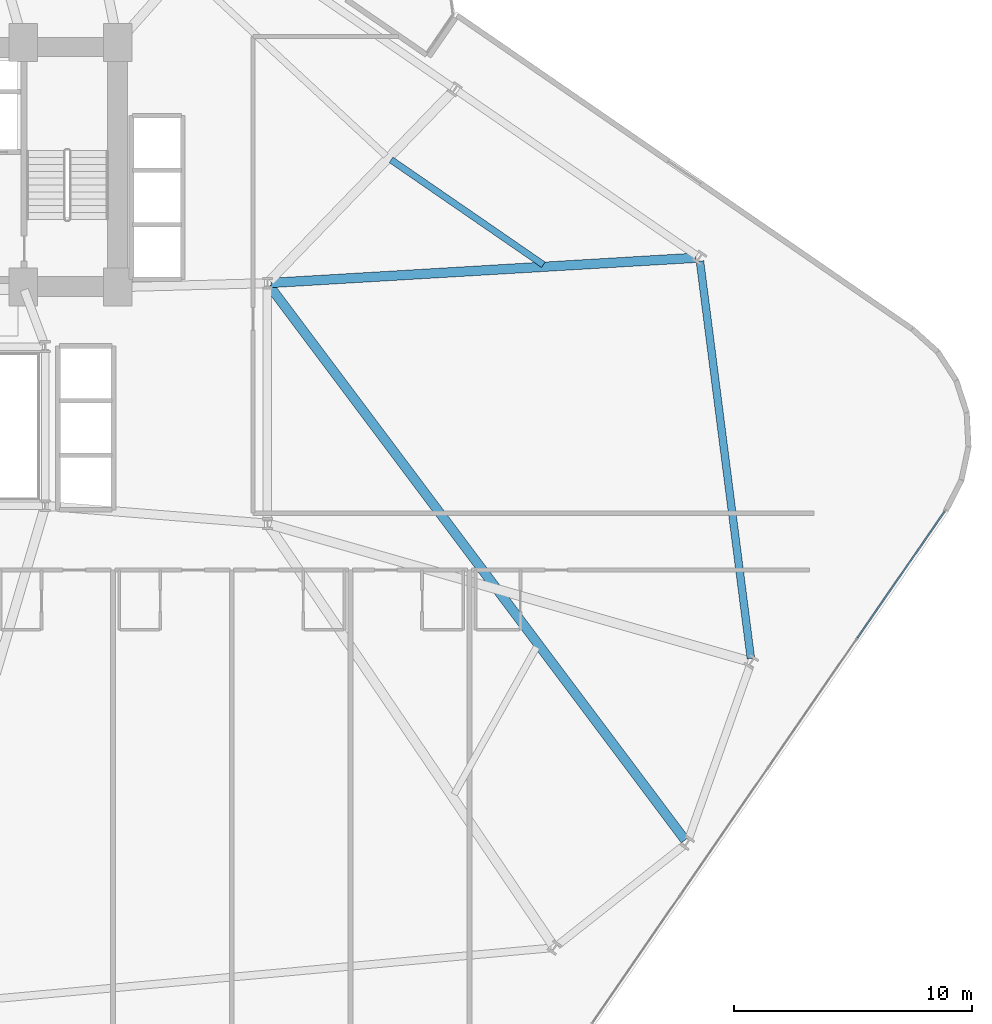
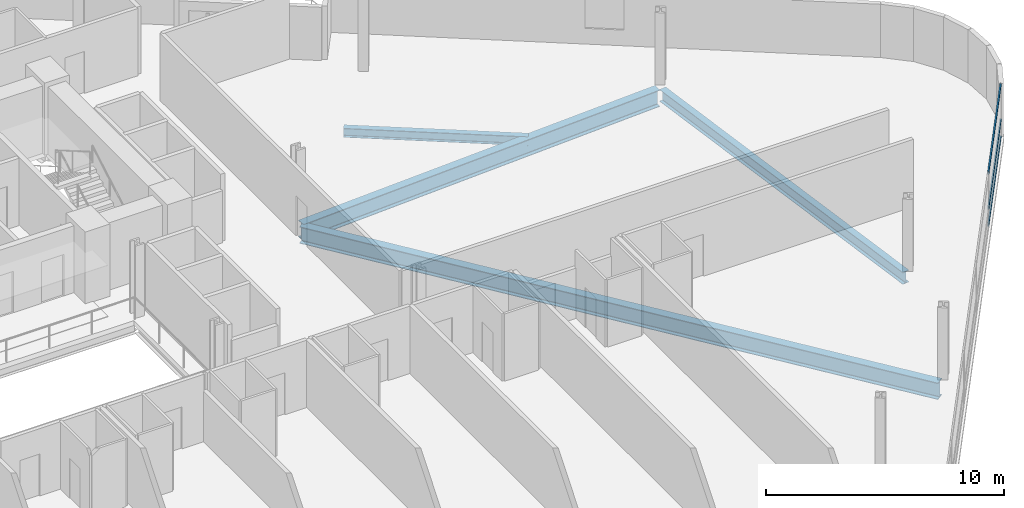
# One storey, part 10 of 25: 4 beams, 3 members, 1 element without a shape of its own.
"""IFC4 building model written with IfcOpenShell, lengths in metres."""

import ifcopenshell
import ifcopenshell.guid

model = None  # the IFC model being written
_history = None  # IfcOwnerHistory: only IFC2X3 demands one
_inside = {}  # id of a spatial element -> (the spatial element, [elements in it])
_under = {}  # id of a project, library or spatial element -> (it, [spatial elements below it])
_declared = {}  # id of a project -> (the project, [libraries it declares])
_typed = {}  # id of a type object -> (the type object, [elements of that type])
_made_of = {}  # id of a material, layer set ... -> (it, [elements and type objects made of it])


def new_model(schema):
    """Start an empty IFC model of exactly this schema.

    Asked for "IFC4X3", IfcOpenShell would pick the latest addendum, in which some entities
    have other attributes; the version numbers below select the first issue.
    IFC2X3 requires an IfcOwnerHistory on every rooted entity: one is made here for all.
    """
    global model, _history
    if schema == "IFC4X3":
        model = ifcopenshell.file(schema_version=(4, 3, 0, 0))
    else:
        model = ifcopenshell.file(schema=schema)
    _inside.clear()
    _under.clear()
    _declared.clear()
    _typed.clear()
    _made_of.clear()
    _history = None
    if model.schema == "IFC2X3":
        org = make("IfcOrganization", Name="unknown")
        user = make(
            "IfcPersonAndOrganization",
            ThePerson=make("IfcPerson", FamilyName="unknown"),
            TheOrganization=org,
        )
        app = make(
            "IfcApplication",
            ApplicationDeveloper=org,
            Version="unknown",
            ApplicationFullName="unknown",
            ApplicationIdentifier="unknown",
        )
        _history = make(
            "IfcOwnerHistory",
            OwningUser=user,
            OwningApplication=app,
            ChangeAction="ADDED",
            CreationDate=0,
        )
    return model


def make(cls, **values):
    """One entity of the class cls with the attributes given. An attribute that is None is left unset."""
    return model.create_entity(
        cls, **{name: value for name, value in values.items() if value is not None}
    )


def rooted(cls, **values):
    """An entity with a GlobalId (a new one), such as an element, a storey or a relation."""
    return make(cls, GlobalId=ifcopenshell.guid.new(), OwnerHistory=_history, **values)


def si_unit(unit_type, name, prefix=None):
    """IfcSIUnit, for example si_unit("LENGTHUNIT", "METRE", prefix="MILLI")."""
    return make("IfcSIUnit", UnitType=unit_type, Prefix=prefix, Name=name)


def assignment(units):
    """IfcUnitAssignment: the units of a project."""
    return None if units is None else make("IfcUnitAssignment", Units=units)


def point(xyz):
    """IfcCartesianPoint."""
    return None if xyz is None else make("IfcCartesianPoint", Coordinates=xyz)


def direction(xyz):
    """IfcDirection."""
    return None if xyz is None else make("IfcDirection", DirectionRatios=xyz)


def frame(location, z_axis=None, x_axis=None):
    """IfcAxis2Placement3D, a coordinate frame: its origin and axes. An axis left out is left unset."""
    return make(
        "IfcAxis2Placement3D",
        Location=point(location),
        Axis=direction(z_axis),
        RefDirection=direction(x_axis),
    )


def frame_2d(location, x_axis=None):
    """IfcAxis2Placement2D, a coordinate frame in the plane: its origin and x axis."""
    return make(
        "IfcAxis2Placement2D", Location=point(location), RefDirection=direction(x_axis)
    )


def origin():
    """The frame at (0, 0, 0) with its axes left unset."""
    return frame((0.0, 0.0, 0.0))


def origin_2d():
    """The frame at (0, 0) in the plane with its x axis left unset."""
    return frame_2d((0.0, 0.0))


def place(relative_to, where):
    """IfcLocalPlacement: puts the frame where relative to a parent placement (None: the world)."""
    return make(
        "IfcLocalPlacement", PlacementRelTo=relative_to, RelativePlacement=where
    )


def context(
    kind, dimensions, precision=None, world=None, true_north=None, identifier=None
):
    """IfcGeometricRepresentationContext, for example the 3D "Model" context."""
    return make(
        "IfcGeometricRepresentationContext",
        ContextIdentifier=identifier,
        ContextType=kind,
        CoordinateSpaceDimension=dimensions,
        Precision=precision,
        WorldCoordinateSystem=world,
        TrueNorth=true_north,
    )


def subcontext(parent, identifier, kind, view, scale=None):
    """IfcGeometricRepresentationSubContext, for example "Body" below "Model"."""
    return make(
        "IfcGeometricRepresentationSubContext",
        ContextIdentifier=identifier,
        ContextType=kind,
        ParentContext=parent,
        TargetScale=scale,
        TargetView=view,
    )


def project(units=None, contexts=None):
    """IfcProject with its units and contexts."""
    return rooted(
        "IfcProject",
        Name="project",
        RepresentationContexts=contexts,
        UnitsInContext=assignment(units),
    )


def spatial(cls, under=None, at=None, **own):
    """A site, building, storey or space (cls), placed at a placement, below another one or the project."""
    s = rooted(cls, ObjectPlacement=at, **own)
    if under is not None:
        _under.setdefault(under.id(), (under, []))[1].append(s)
    return s


def profile(cls, at=None, kind="AREA", **sizes):
    """A parametric profile (cls). Its sizes go by their IFC names, for example OverallWidth=200.0."""
    return make(cls, ProfileType=kind, Position=at, **sizes)


def hollow_rectangle(**sizes):
    """IfcRectangleHollowProfileDef."""
    return profile("IfcRectangleHollowProfileDef", **sizes)


def i_section(**sizes):
    """IfcIShapeProfileDef."""
    return profile("IfcIShapeProfileDef", **sizes)


def extrude(swept, where, along, depth):
    """IfcExtrudedAreaSolid: the profile swept, set in the frame where, extruded along a direction by depth."""
    return make(
        "IfcExtrudedAreaSolid",
        SweptArea=swept,
        Position=where,
        ExtrudedDirection=direction(along),
        Depth=depth,
    )


def shape(context_of_items, identifier, shape_type, items):
    """IfcShapeRepresentation: the items that make up one representation, for example the "Body"."""
    return make(
        "IfcShapeRepresentation",
        ContextOfItems=context_of_items,
        RepresentationIdentifier=identifier,
        RepresentationType=shape_type,
        Items=items,
    )


def material(Name=None, Category=None):
    """IfcMaterial."""
    return make("IfcMaterial", Name=Name, Category=Category)


def layer(
    of_material, thickness, ventilated=None, Name=None, Category=None, Priority=None
):
    """IfcMaterialLayer: one layer of a wall or slab, of a material (None: an air gap)."""
    return make(
        "IfcMaterialLayer",
        Material=of_material,
        LayerThickness=thickness,
        IsVentilated=ventilated,
        Name=Name,
        Category=Category,
        Priority=Priority,
    )


def layer_set(layers, Name=None):
    """IfcMaterialLayerSet."""
    return make("IfcMaterialLayerSet", MaterialLayers=layers, LayerSetName=Name)


def material_profile(
    of_material, cross_section, Name=None, Category=None, Priority=None
):
    """IfcMaterialProfile: a cross section and its material."""
    return make(
        "IfcMaterialProfile",
        Name=Name,
        Material=of_material,
        Profile=cross_section,
        Priority=Priority,
        Category=Category,
    )


def profile_set(profiles, Name=None, composite=None):
    """IfcMaterialProfileSet."""
    return make(
        "IfcMaterialProfileSet",
        Name=Name,
        MaterialProfiles=profiles,
        CompositeProfile=composite,
    )


def made_of(thing, what):
    """Note that an element or type object is made of a material, layer set ...; save() writes the relation."""
    if what is not None:
        _made_of.setdefault(what.id(), (what, []))[1].append(thing)
    return thing


def type_object(cls, material=None, **own):
    """A type object (cls), such as IfcWallType, which elements share."""
    return made_of(rooted(cls, **own), material)


def element(
    cls,
    number,
    at=None,
    inside=None,
    cuts=None,
    type_object=None,
    material=None,
    context=None,
    identifier="Body",
    shape_type=None,
    held_by="IfcProductDefinitionShape",
    body=None,
    shapes=None,
    **own,
):
    """One element of the class cls, such as IfcWall. Its Tag is "e" and its number.

    at: its placement. inside: the storey or other place that contains it. cuts: it is an
    opening in that element (IfcRelVoidsElement). A single representation is given by context,
    identifier, shape_type and body (its items); several are given by shapes. held_by: the class
    of the entity that holds the representations. save() writes the other relations.
    """
    e = rooted(cls, Tag="e%d" % number, ObjectPlacement=at, **own)
    if body is not None:
        shapes = [shape(context, identifier, shape_type, body)]
    if shapes is not None:
        e.Representation = make(held_by, Representations=shapes)
    if inside is not None:
        _inside.setdefault(inside.id(), (inside, []))[1].append(e)
    if cuts is not None:
        rooted(
            "IfcRelVoidsElement", RelatingBuildingElement=cuts, RelatedOpeningElement=e
        )
    if type_object is not None:
        _typed.setdefault(type_object.id(), (type_object, []))[1].append(e)
    return made_of(e, material)


def aggregate(whole, parts):
    """IfcRelAggregates: a whole, such as a stair, and the parts it consists of."""
    return rooted("IfcRelAggregates", RelatingObject=whole, RelatedObjects=parts)


def save(model, path):
    """Write the relations noted so far, then the file.

    IfcRelAggregates (storeys below a building ...), IfcRelContainedInSpatialStructure (elements
    in a storey), IfcRelDefinesByType, IfcRelAssociatesMaterial and IfcRelDeclares: one each for
    every whole, place, type object, material and project.
    """
    for whole, parts in _under.values():
        aggregate(whole, parts)
    for where, things in _inside.values():
        rooted(
            "IfcRelContainedInSpatialStructure",
            RelatedElements=things,
            RelatingStructure=where,
        )
    for kind, things in _typed.values():
        rooted("IfcRelDefinesByType", RelatedObjects=things, RelatingType=kind)
    for what, things in _made_of.values():
        rooted("IfcRelAssociatesMaterial", RelatedObjects=things, RelatingMaterial=what)
    for by, libraries in _declared.values():
        rooted("IfcRelDeclares", RelatingContext=by, RelatedDefinitions=libraries)
    model.write(path)


model = new_model("IFC4")

# Units and contexts
model_context = context("Model", 3, precision=1e-05, world=origin(), true_north=direction((0.0, 1.0)))
body_context = subcontext(model_context, "Body", "Model", "MODEL_VIEW")
ifc_project = project(units=[si_unit("LENGTHUNIT", "METRE"), si_unit("AREAUNIT", "SQUARE_METRE"), si_unit("VOLUMEUNIT", "CUBIC_METRE"), si_unit("PLANEANGLEUNIT", "RADIAN"), si_unit("MASSUNIT", "GRAM", prefix="KILO")], contexts=[model_context])

# Site, building, storey
site_placement = place(None, origin())
site = spatial("IfcSite", under=ifc_project, at=site_placement, CompositionType="ELEMENT")
building_placement = place(site_placement, origin())
building = spatial("IfcBuilding", under=site, at=building_placement, Name="Varnelok Gate Tower", CompositionType="ELEMENT")
storey_placement = place(building_placement, frame((0.0, 0.0, 34.39990234375)))
storey = spatial("IfcBuildingStorey", under=building, at=storey_placement, Name="L07", CompositionType="ELEMENT", Elevation=34.39990234375)

# Beams
ifc_material_1 = material(Name="Structural Steel ASTM A992 Grade 50", Category="steel")
ifc_material_profile_1 = material_profile(ifc_material_1, i_section(OverallWidth=0.280029296875, OverallDepth=0.462890625, WebThickness=0.0107421875, FlangeThickness=0.017333984375, FilletRadius=0.014892578125, at=origin_2d()), Name="W18X76")
ifc_profile_set_1 = profile_set([ifc_material_profile_1], Name="Structural Steel ASTM A992 Grade 50")
beam_type_1 = type_object("IfcBeamType", Name="BM-JST-W18X76", PredefinedType="JOIST", material=ifc_profile_set_1)
beam_1_placement = place(storey_placement, frame((65.614501953125, 29.6943359375, -0.4814453125), z_axis=(-0.823557426386, 0.567232902294, 0.0), x_axis=(-0.567232902294, -0.823557426386, 0.0)))
element("IfcBeam", 1, at=beam_1_placement, inside=storey, type_object=beam_type_1, Name="L07 Sector Floor Joist 6", PredefinedType="JOIST", context=body_context, shape_type="SweptSolid", body=[
    extrude(i_section(OverallWidth=0.280029296875, OverallDepth=0.462890625, WebThickness=0.0107421875, FlangeThickness=0.017333984375, FilletRadius=0.014892578125, at=origin_2d()), origin(), (0.0, 0.0, 1.0), 7.78271484375),
])
ifc_material_profile_2 = material_profile(ifc_material_1, i_section(OverallWidth=0.39892578125, OverallDepth=0.85498046875, WebThickness=0.018310546875, FlangeThickness=0.029296875, FilletRadius=0.02392578125, at=origin_2d()), Name="W33X201")
ifc_profile_set_2 = profile_set([ifc_material_profile_2], Name="Structural Steel ASTM A992 Grade 50")
beam_type_2 = type_object("IfcBeamType", Name="BM-PRI-W33X201", PredefinedType="BEAM", material=ifc_profile_set_2)
beam_2_placement = place(storey_placement, frame((54.090087890625, 28.800048828125, -0.677490234375), z_axis=(0.600038863323, -0.799970851033, 0.0), x_axis=(0.799970851033, 0.600038863323, 0.0)))
element("IfcBeam", 2, at=beam_2_placement, inside=storey, type_object=beam_type_2, Name="L07 Radial Floor Girder 7", PredefinedType="BEAM", context=body_context, shape_type="SweptSolid", body=[
    extrude(i_section(OverallWidth=0.39892578125, OverallDepth=0.85498046875, WebThickness=0.018310546875, FlangeThickness=0.029296875, FilletRadius=0.02392578125, at=origin_2d()), origin(), (0.0, 0.0, 1.0), 29.148193359375),
])
beam_3_placement = place(storey_placement, frame((54.149658203125, 28.928955078125, -0.677490234375), z_axis=(0.998250753284, 0.059122191839, 0.0), x_axis=(-0.059122191839, 0.998250753284, 0.0)))
element("IfcBeam", 3, at=beam_3_placement, inside=storey, type_object=beam_type_2, Name="L07 Radial Floor Girder 9", PredefinedType="BEAM", context=body_context, shape_type="SweptSolid", body=[
    extrude(i_section(OverallWidth=0.39892578125, OverallDepth=0.85498046875, WebThickness=0.018310546875, FlangeThickness=0.029296875, FilletRadius=0.02392578125, at=origin_2d()), origin(), (0.0, 0.0, 1.0), 17.91748046875),
])
ifc_material_profile_3 = material_profile(ifc_material_1, i_section(OverallWidth=0.323974609375, OverallDepth=0.611083984375, WebThickness=0.0126953125, FlangeThickness=0.01904296875, FilletRadius=0.01806640625, at=origin_2d()), Name="W24X104")
ifc_profile_set_3 = profile_set([ifc_material_profile_3], Name="Structural Steel ASTM A992 Grade 50")
beam_type_3 = type_object("IfcBeamType", Name="BM-SPN-W24X104", PredefinedType="SPANDREL", material=ifc_profile_set_3)
beam_4_placement = place(storey_placement, frame((74.347900390625, 13.125, -0.555419921875), z_axis=(-0.127122673264, 0.991887002608, 0.0), x_axis=(-0.991887002608, -0.127122673264, 0.0)))
element("IfcBeam", 4, at=beam_4_placement, inside=storey, type_object=beam_type_3, Name="L07 Perimeter Spandrel Beam 8", PredefinedType="SPANDREL", context=body_context, shape_type="SweptSolid", body=[
    extrude(i_section(OverallWidth=0.323974609375, OverallDepth=0.611083984375, WebThickness=0.0126953125, FlangeThickness=0.01904296875, FilletRadius=0.01806640625, at=origin_2d()), origin(), (0.0, 0.0, 1.0), 16.860107421875),
])

# Curtain wall, members
ifc_material_2 = material(Name="Anodized Aluminum Alloy 6063-T6", Category="aluminium")
ifc_layer = layer(ifc_material_2, 0.179931640625)
ifc_layer_set = layer_set([ifc_layer], Name="Anodized Aluminum Alloy 6063-T6")
curtain_wall_type = type_object("IfcCurtainWallType", Name="CW3-HOTEL-VISION", PredefinedType="USERDEFINED", material=ifc_layer_set)
curtain_wall_placement = place(storey_placement, origin())
curtain_wall = element("IfcCurtainWall", 5, at=curtain_wall_placement, inside=storey, type_object=curtain_wall_type, Name="L07 East End Vision Curtain Wall", ObjectType="UNITISED CURTAIN WALL", PredefinedType="USERDEFINED")
ifc_material_profile_4 = material_profile(ifc_material_2, hollow_rectangle(XDim=0.06494140625, YDim=0.159912109375, WallThickness=0.00390625, at=origin_2d()), Name="ALU160X65X4")
ifc_profile_set_4 = profile_set([ifc_material_profile_4], Name="Anodized Aluminum Alloy 6063-T6")
member_type = type_object("IfcMemberType", Name="CW-TRAN-160", PredefinedType="USERDEFINED", material=ifc_profile_set_4)
member_1_placement = place(storey_placement, frame((82.505615234375, 19.3125, 0.03271484375), z_axis=(-0.567298980035, -0.823511910813, 0.0), x_axis=(0.823511910813, -0.567298980035, 0.0)))
member_1 = element("IfcMember", 6, at=member_1_placement, type_object=member_type, Name="CW3 transom 1.1", ObjectType="TRANSOM", PredefinedType="USERDEFINED", context=body_context, shape_type="SweptSolid", body=[
    extrude(hollow_rectangle(XDim=0.06494140625, YDim=0.159912109375, WallThickness=0.00390625, at=origin_2d()), origin(), (0.0, 0.0, 1.0), 6.468994140625),
])
member_2_placement = place(storey_placement, frame((82.505615234375, 19.3125, 0.900146484375), z_axis=(-0.567298980035, -0.823511910813, 0.0), x_axis=(0.823511910813, -0.567298980035, 0.0)))
member_2 = element("IfcMember", 7, at=member_2_placement, type_object=member_type, Name="CW3 transom 1.2", ObjectType="TRANSOM", PredefinedType="USERDEFINED", context=body_context, shape_type="SweptSolid", body=[
    extrude(hollow_rectangle(XDim=0.06494140625, YDim=0.159912109375, WallThickness=0.00390625, at=origin_2d()), origin(), (0.0, 0.0, 1.0), 6.468994140625),
])
member_3_placement = place(storey_placement, frame((82.505615234375, 19.3125, 2.697509765625), z_axis=(-0.567298980035, -0.823511910813, 0.0), x_axis=(0.823511910813, -0.567298980035, 0.0)))
member_3 = element("IfcMember", 8, at=member_3_placement, type_object=member_type, Name="CW3 transom 1.3", ObjectType="TRANSOM", PredefinedType="USERDEFINED", context=body_context, shape_type="SweptSolid", body=[
    extrude(hollow_rectangle(XDim=0.06494140625, YDim=0.159912109375, WallThickness=0.00390625, at=origin_2d()), origin(), (0.0, 0.0, 1.0), 6.468994140625),
])
aggregate(curtain_wall, [member_1, member_2, member_3])

save(model, "model.ifc")
